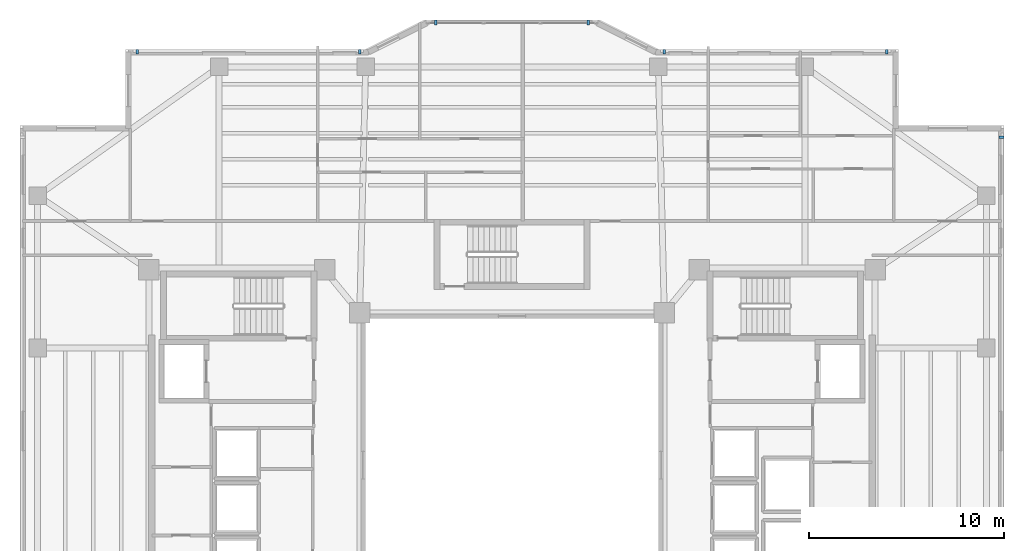
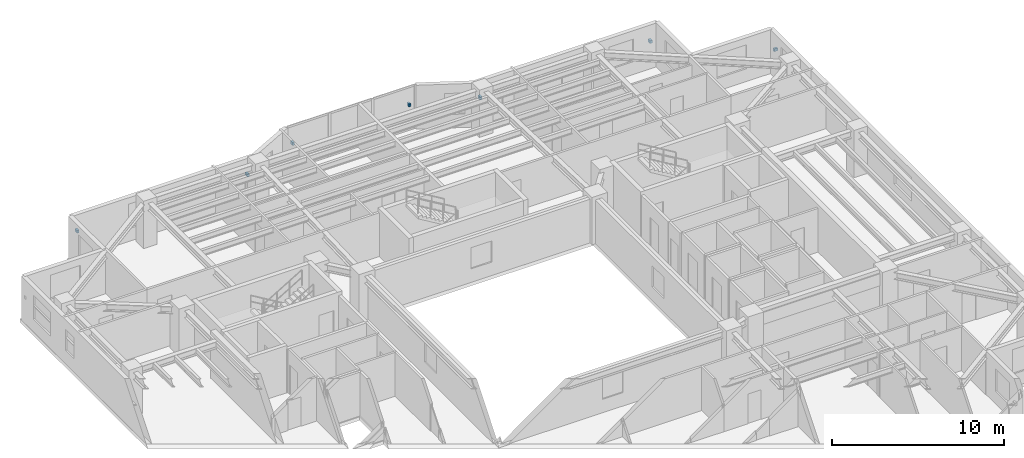
# One storey, part 12 of 15: 7 discrete accessories.
"""IFC4 building model written with IfcOpenShell, lengths in metres."""

from ifc_helpers import new_model, si_unit, direction, frame, origin, origin_2d, place, context, subcontext, project, spatial, rectangle, extrude, material, type_object, element, save


model = new_model("IFC4")

# Units and contexts
model_context = context("Model", 3, precision=1e-05, world=origin(), true_north=direction((0.0, 1.0)))
body_context = subcontext(model_context, "Body", "Model", "MODEL_VIEW")
ifc_project = project(units=[si_unit("LENGTHUNIT", "METRE"), si_unit("AREAUNIT", "SQUARE_METRE"), si_unit("VOLUMEUNIT", "CUBIC_METRE"), si_unit("PLANEANGLEUNIT", "RADIAN"), si_unit("MASSUNIT", "GRAM", prefix="KILO")], contexts=[model_context])

# Site, building, storey
site_placement = place(None, origin())
site = spatial("IfcSite", under=ifc_project, at=site_placement, CompositionType="ELEMENT")
building_placement = place(site_placement, origin())
building = spatial("IfcBuilding", under=site, at=building_placement, Name="Tarnavaz Court Tower", CompositionType="ELEMENT")
storey_placement = place(building_placement, frame((0.0, 0.0, 162.75)))
storey = spatial("IfcBuildingStorey", under=building, at=storey_placement, Name="L44", CompositionType="ELEMENT", Elevation=162.75)

# Discrete accessories
ifc_material = material(Name="Anodised Aluminium 6063-T6", Category="aluminium")
discrete_accessory_type = type_object("IfcDiscreteAccessoryType", Name="DA-BRKT-ALU", PredefinedType="BRACKET", material=ifc_material)
for number, where, z_axis, x_axis, name in (
    (1, (-19.199951171875, 21.169921875, 1.75), (0.0, 0.0, 1.0), (1.0, 0.0, 0.0), "L44 Baguette Outrigger Bracket FBG05-1"),
    (2, (-7.800048828125, 21.169921875, 1.75), (0.0, 0.0, 1.0), (1.0, 0.0, 0.0), "L44 Baguette Outrigger Bracket FBG05-2"),
    (3, (-3.89990234375, 22.669921875, 1.7001953125), (0.0, 0.0, 1.0), (1.0, 0.0, 0.0), "L44 Baguette Outrigger Bracket PBG7-1"),
    (4, (3.89990234375, 22.669921875, 1.7001953125), (0.0, 0.0, 1.0), (1.0, 0.0, 0.0), "L44 Baguette Outrigger Bracket PBG7-2"),
    (5, (7.800048828125, 21.169921875, 1.75), (0.0, 0.0, 1.0), (1.0, 0.0, 0.0), "L44 Baguette Outrigger Bracket FBG09-1"),
    (6, (19.199951171875, 21.169921875, 1.75), (0.0, 0.0, 1.0), (1.0, 0.0, 0.0), "L44 Baguette Outrigger Bracket FBG09-2"),
    (7, (25.070068359375, 16.800048828125, 1.75), (0.0, 0.0, 1.0), (0.0, -1.0, 0.0), "L44 Baguette Outrigger Bracket FBG12-1"),
):
    element("IfcDiscreteAccessory", number, at=place(storey_placement, frame(where, z_axis=z_axis, x_axis=x_axis)), inside=storey, type_object=discrete_accessory_type, Name=name, PredefinedType="BRACKET", context=body_context, shape_type="SweptSolid", body=[
        extrude(rectangle(XDim=0.139892578125, YDim=0.239990234375, at=origin_2d()), origin(), (0.0, 0.0, 1.0), 0.199951171875),
    ])

save(model, "model.ifc")
